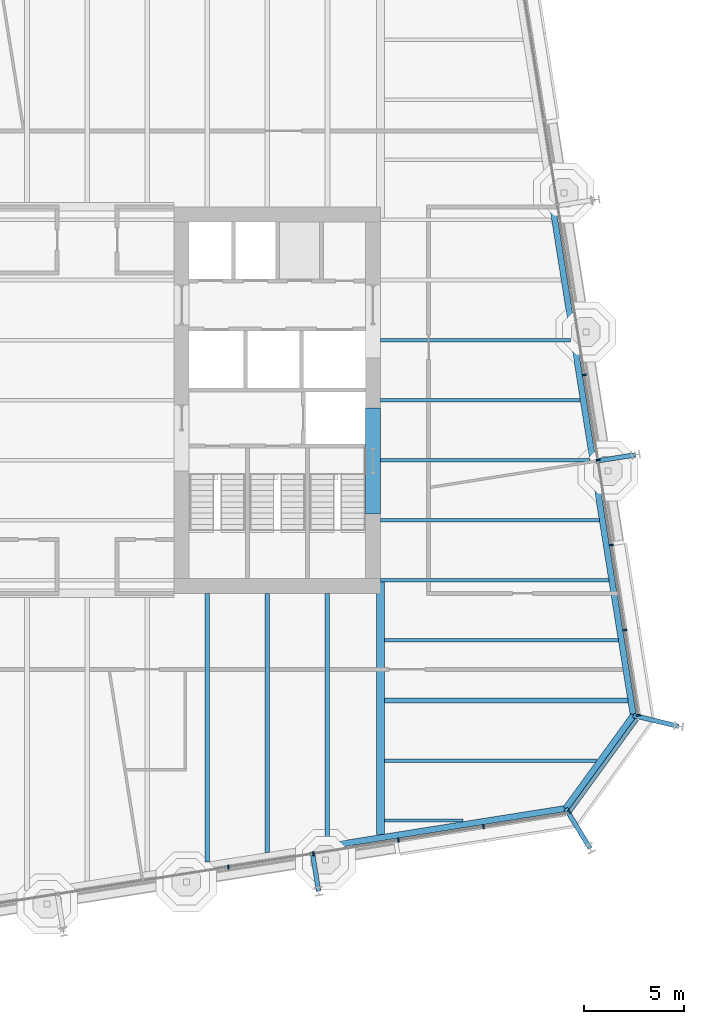
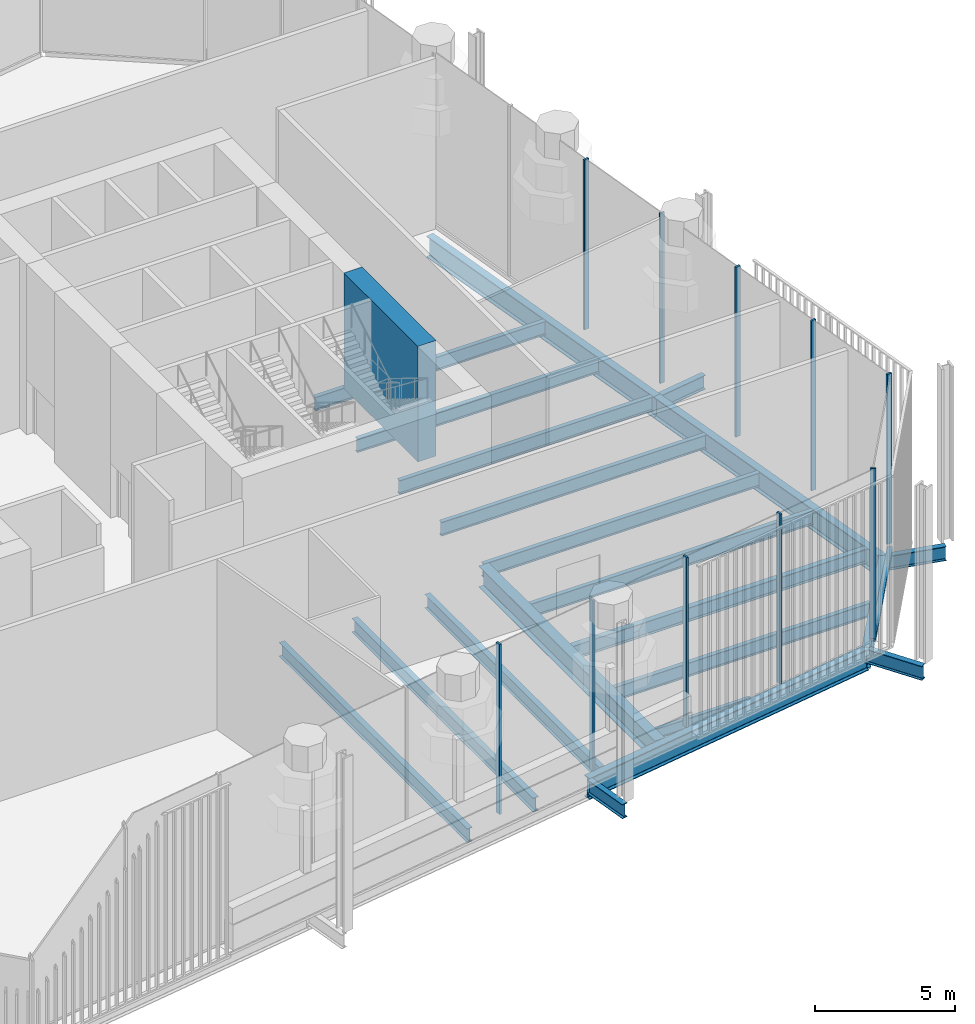
# One storey, part 5 of 19: 22 beams, 11 members, 3 elements without a shape of their own.
"""IFC4 building model written with IfcOpenShell, lengths in metres."""

from ifc_helpers import new_model, si_unit, direction, frame, origin, origin_2d, place, context, subcontext, project, spatial, rectangle, i_section, extrude, material, layer, layer_set, material_profile, profile_set, type_object, element, aggregate, save


model = new_model("IFC4")

# Units and contexts
model_context = context("Model", 3, precision=1e-05, world=origin(), true_north=direction((0.0, 1.0)))
body_context = subcontext(model_context, "Body", "Model", "MODEL_VIEW")
ifc_project = project(units=[si_unit("LENGTHUNIT", "METRE"), si_unit("AREAUNIT", "SQUARE_METRE"), si_unit("VOLUMEUNIT", "CUBIC_METRE"), si_unit("PLANEANGLEUNIT", "RADIAN"), si_unit("MASSUNIT", "GRAM", prefix="KILO")], contexts=[model_context])

# Site, building, storey
site_placement = place(None, origin())
site = spatial("IfcSite", under=ifc_project, at=site_placement, CompositionType="ELEMENT")
building_placement = place(site_placement, origin())
building = spatial("IfcBuilding", under=site, at=building_placement, Name="Millrace Tower", CompositionType="ELEMENT")
storey_placement = place(building_placement, frame((0.0, 0.0, 172.39990234375)))
storey = spatial("IfcBuildingStorey", under=building, at=storey_placement, Name="L39", CompositionType="ELEMENT", Elevation=172.39990234375)

# Curtain wall, members
ifc_material_1 = material(Name="Aluminium and glass", Category="aluminium")
ifc_layer = layer(ifc_material_1, 0.199951171875)
ifc_layer_set = layer_set([ifc_layer], Name="Aluminium and glass")
curtain_wall_type = type_object("IfcCurtainWallType", Name="CW-4 sky garden winter glazing", PredefinedType="NOTDEFINED", material=ifc_layer_set)
placement = place(storey_placement, origin())
curtain_wall_1 = element("IfcCurtainWall", 1, at=placement, inside=storey, type_object=curtain_wall_type, Name="Curtain wall C-F02 L39", PredefinedType="NOTDEFINED")
ifc_material_2 = material(Name="Aluminium", Category="aluminium")
ifc_material_profile_1 = material_profile(ifc_material_2, rectangle(XDim=0.080078125, YDim=0.199951171875, at=origin_2d()))
ifc_profile_set_1 = profile_set([ifc_material_profile_1], Name="Aluminium")
member_type_1 = type_object("IfcMemberType", Name="CW-4 sky garden winter glazing mullion", PredefinedType="MULLION", material=ifc_profile_set_1)
member_1_placement = place(storey_placement, frame((7.054931640625, -23.31689453125, 0.18017578125), z_axis=(0.0, 0.0, 1.0), x_axis=(0.98768833929, 0.15643447328, 0.0)))
member_1 = element("IfcMember", 2, at=member_1_placement, type_object=member_type_1, Name="CW4 mullion C-F02.6", PredefinedType="MULLION", context=body_context, shape_type="SweptSolid", body=[
    extrude(rectangle(XDim=0.080078125, YDim=0.199951171875, at=origin_2d()), origin(), (0.0, 0.0, 1.0), 7.419921875),
])
member_2_placement = place(storey_placement, frame((11.302001953125, -22.644287109375, 0.18017578125), z_axis=(0.0, 0.0, 1.0), x_axis=(0.98768833929, 0.15643447328, 0.0)))
member_2 = element("IfcMember", 3, at=member_2_placement, type_object=member_type_1, Name="CW4 mullion C-F02.7", PredefinedType="MULLION", context=body_context, shape_type="SweptSolid", body=[
    extrude(rectangle(XDim=0.080078125, YDim=0.199951171875, at=origin_2d()), origin(), (0.0, 0.0, 1.0), 7.419921875),
])
member_3_placement = place(storey_placement, frame((15.549072265625, -21.971435546875, 0.18017578125), z_axis=(0.0, 0.0, 1.0), x_axis=(0.98768833929, 0.15643447328, 0.0)))
member_3 = element("IfcMember", 4, at=member_3_placement, type_object=member_type_1, Name="CW4 mullion C-F02.8", PredefinedType="MULLION", context=body_context, shape_type="SweptSolid", body=[
    extrude(rectangle(XDim=0.080078125, YDim=0.199951171875, at=origin_2d()), origin(), (0.0, 0.0, 1.0), 7.419921875),
])
member_4_placement = place(storey_placement, frame((19.796142578125, -21.298828125, 0.18017578125), z_axis=(0.0, 0.0, 1.0), x_axis=(0.98768833929, 0.15643447328, 0.0)))
member_4 = element("IfcMember", 5, at=member_4_placement, type_object=member_type_1, Name="CW4 mullion C-F02.9", PredefinedType="MULLION", context=body_context, shape_type="SweptSolid", body=[
    extrude(rectangle(XDim=0.080078125, YDim=0.199951171875, at=origin_2d()), origin(), (0.0, 0.0, 1.0), 7.419921875),
])
aggregate(curtain_wall_1, [member_1, member_2, member_3, member_4])

# Curtain wall, member
curtain_wall_2 = element("IfcCurtainWall", 6, at=placement, inside=storey, type_object=curtain_wall_type, Name="Curtain wall C-F03 L39", PredefinedType="NOTDEFINED")
member_5_placement = place(storey_placement, frame((24.09228515625, -20.56005859375, 0.18017578125), z_axis=(0.0, 0.0, 1.0), x_axis=(0.587785269844, 0.809016981623, 0.0)))
member_5 = element("IfcMember", 7, at=member_5_placement, type_object=member_type_1, Name="CW4 mullion C-F03.1", PredefinedType="MULLION", context=body_context, shape_type="SweptSolid", body=[
    extrude(rectangle(XDim=0.080078125, YDim=0.199951171875, at=origin_2d()), origin(), (0.0, 0.0, 1.0), 7.419921875),
])

# Curtain wall, members
curtain_wall_3 = element("IfcCurtainWall", 8, at=placement, inside=storey, type_object=curtain_wall_type, Name="Curtain wall C-F04 L39", PredefinedType="NOTDEFINED")
member_6_placement = place(storey_placement, frame((27.5302734375, -15.73046875, 0.18017578125), z_axis=(0.0, 0.0, 1.0), x_axis=(-0.15643447328, 0.98768833929, 0.0)))
member_6 = element("IfcMember", 9, at=member_6_placement, type_object=member_type_1, Name="CW4 mullion C-F04.1", PredefinedType="MULLION", context=body_context, shape_type="SweptSolid", body=[
    extrude(rectangle(XDim=0.080078125, YDim=0.199951171875, at=origin_2d()), origin(), (0.0, 0.0, 1.0), 7.419921875),
])
member_7_placement = place(storey_placement, frame((26.857421875, -11.4833984375, 0.18017578125), z_axis=(0.0, 0.0, 1.0), x_axis=(-0.15643447328, 0.98768833929, 0.0)))
member_7 = element("IfcMember", 10, at=member_7_placement, type_object=member_type_1, Name="CW4 mullion C-F04.2", PredefinedType="MULLION", context=body_context, shape_type="SweptSolid", body=[
    extrude(rectangle(XDim=0.080078125, YDim=0.199951171875, at=origin_2d()), origin(), (0.0, 0.0, 1.0), 7.419921875),
])
member_8_placement = place(storey_placement, frame((26.184814453125, -7.236328125, 0.18017578125), z_axis=(0.0, 0.0, 1.0), x_axis=(-0.15643447328, 0.98768833929, 0.0)))
member_8 = element("IfcMember", 11, at=member_8_placement, type_object=member_type_1, Name="CW4 mullion C-F04.3", PredefinedType="MULLION", context=body_context, shape_type="SweptSolid", body=[
    extrude(rectangle(XDim=0.080078125, YDim=0.199951171875, at=origin_2d()), origin(), (0.0, 0.0, 1.0), 7.419921875),
])
member_9_placement = place(storey_placement, frame((25.51220703125, -2.9892578125, 0.18017578125), z_axis=(0.0, 0.0, 1.0), x_axis=(-0.15643447328, 0.98768833929, 0.0)))
member_9 = element("IfcMember", 12, at=member_9_placement, type_object=member_type_1, Name="CW4 mullion C-F04.4", PredefinedType="MULLION", context=body_context, shape_type="SweptSolid", body=[
    extrude(rectangle(XDim=0.080078125, YDim=0.199951171875, at=origin_2d()), origin(), (0.0, 0.0, 1.0), 7.419921875),
])
member_10_placement = place(storey_placement, frame((24.839599609375, 1.2578125, 0.18017578125), z_axis=(0.0, 0.0, 1.0), x_axis=(-0.15643447328, 0.98768833929, 0.0)))
member_10 = element("IfcMember", 13, at=member_10_placement, type_object=member_type_1, Name="CW4 mullion C-F04.5", PredefinedType="MULLION", context=body_context, shape_type="SweptSolid", body=[
    extrude(rectangle(XDim=0.080078125, YDim=0.199951171875, at=origin_2d()), origin(), (0.0, 0.0, 1.0), 7.419921875),
])
aggregate(curtain_wall_3, [member_6, member_7, member_8, member_9, member_10])

# Member
ifc_material_3 = material(Name="Aluminium", Category="aluminium")
ifc_material_profile_2 = material_profile(ifc_material_3, rectangle(XDim=0.199951171875, YDim=0.179931640625, at=origin_2d()))
ifc_profile_set_2 = profile_set([ifc_material_profile_2], Name="Aluminium")
member_type_2 = type_object("IfcMemberType", Name="CW-4 sky garden winter glazing transom", PredefinedType="USERDEFINED", material=ifc_profile_set_2)
member_11_placement = place(storey_placement, frame((24.127685546875, -20.511474609375, 0.090087890625), z_axis=(0.587782394357, 0.809019070779, 0.0), x_axis=(-0.809019070779, 0.587782394357, 0.0)))
member_11 = element("IfcMember", 14, at=member_11_placement, type_object=member_type_2, Name="CW4 transom C-F03.1", ObjectType="TRANSOM", PredefinedType="USERDEFINED", context=body_context, shape_type="SweptSolid", body=[
    extrude(rectangle(XDim=0.199951171875, YDim=0.179931640625, at=origin_2d()), origin(), (0.0, 0.0, 1.0), 5.668701171875),
])

aggregate(curtain_wall_2, [member_5, member_11])

# Beams
ifc_material_4 = material(Name="Concrete C70", Category="concrete")
ifc_material_profile_3 = material_profile(ifc_material_4, rectangle(XDim=0.75, YDim=5.0400390625, at=origin_2d()))
ifc_profile_set_3 = profile_set([ifc_material_profile_3], Name="Concrete C70")
beam_type_1 = type_object("IfcBeamType", Name="Coupling beam 750 x 5040 Concrete C70, 1300 opening", PredefinedType="BEAM", material=ifc_profile_set_3)
beam_1_placement = place(storey_placement, frame((14.27490234375, -0.384033203125, 4.920166015625), z_axis=(0.0, -1.0, 0.0), x_axis=(1.0, 0.0, 0.0)))
element("IfcBeam", 15, at=beam_1_placement, inside=storey, type_object=beam_type_1, Name="Coupling beam E L39", PredefinedType="BEAM", context=body_context, shape_type="SweptSolid", body=[
    extrude(rectangle(XDim=0.75, YDim=5.0400390625, at=origin_2d()), origin(), (0.0, 0.0, 1.0), 5.2919921875),
])
ifc_material_5 = material(Name="Steel ASTM A992 Grade 50", Category="steel")
ifc_material_profile_4 = material_profile(ifc_material_5, i_section(OverallWidth=0.15234375, OverallDepth=0.449462890625, WebThickness=0.007568359375, FlangeThickness=0.0107421875, FilletRadius=0.01025390625, at=origin_2d()))
ifc_profile_set_4 = profile_set([ifc_material_profile_4], Name="Steel ASTM A992 Grade 50")
beam_type_2 = type_object("IfcBeamType", Name="Floor beam W18x35", PredefinedType="JOIST", material=ifc_profile_set_4)
beam_2_placement = place(storey_placement, frame((14.859619140625, -21.0, -0.474609375), z_axis=(1.0, 0.0, 0.0), x_axis=(0.0, 1.0, 0.0)))
element("IfcBeam", 16, at=beam_2_placement, inside=storey, type_object=beam_type_2, Name="BM-C-L39-S1-S003", PredefinedType="JOIST", context=body_context, shape_type="SweptSolid", body=[
    extrude(i_section(OverallWidth=0.15234375, OverallDepth=0.449462890625, WebThickness=0.007568359375, FlangeThickness=0.0107421875, FilletRadius=0.01025390625, at=origin_2d()), origin(), (0.0, 0.0, 1.0), 3.9033203125),
])
ifc_material_6 = material(Name="Steel ASTM A992 Grade 50", Category="steel")
ifc_material_profile_5 = material_profile(ifc_material_6, i_section(OverallWidth=0.177978515625, OverallDepth=0.599365234375, WebThickness=0.010009765625, FlangeThickness=0.012939453125, FilletRadius=0.012939453125, at=origin_2d()))
ifc_profile_set_5 = profile_set([ifc_material_profile_5], Name="Steel ASTM A992 Grade 50")
beam_type_3 = type_object("IfcBeamType", Name="Floor beam W24x55", PredefinedType="JOIST", material=ifc_profile_set_5)
beam_3_placement = place(storey_placement, frame((14.64990234375, 0.0, -0.549560546875), z_axis=(1.0, 0.0, 0.0), x_axis=(0.0, 1.0, 0.0)))
element("IfcBeam", 17, at=beam_3_placement, inside=storey, type_object=beam_type_3, Name="BM-C-L39-S1-S021", PredefinedType="JOIST", context=body_context, shape_type="SweptSolid", body=[
    extrude(i_section(OverallWidth=0.177978515625, OverallDepth=0.599365234375, WebThickness=0.010009765625, FlangeThickness=0.012939453125, FilletRadius=0.012939453125, at=origin_2d()), origin(), (0.0, 0.0, 1.0), 9.976318359375),
])
beam_4_placement = place(storey_placement, frame((14.64990234375, 3.0, -0.549560546875), z_axis=(1.0, 0.0, 0.0), x_axis=(0.0, 1.0, 0.0)))
element("IfcBeam", 18, at=beam_4_placement, inside=storey, type_object=beam_type_3, Name="BM-C-L39-S1-S024", PredefinedType="JOIST", context=body_context, shape_type="SweptSolid", body=[
    extrude(i_section(OverallWidth=0.177978515625, OverallDepth=0.599365234375, WebThickness=0.010009765625, FlangeThickness=0.012939453125, FilletRadius=0.012939453125, at=origin_2d()), origin(), (0.0, 0.0, 1.0), 9.501220703125),
])
ifc_material_7 = material(Name="Steel ASTM A992 Grade 50", Category="steel")
ifc_material_profile_6 = material_profile(ifc_material_7, i_section(OverallWidth=0.1787109375, OverallDepth=0.60205078125, WebThickness=0.010986328125, FlangeThickness=0.014892578125, FilletRadius=0.0126953125, at=origin_2d()))
ifc_profile_set_6 = profile_set([ifc_material_profile_6], Name="Steel ASTM A992 Grade 50")
beam_type_4 = type_object("IfcBeamType", Name="Floor beam W24x62", PredefinedType="JOIST", material=ifc_profile_set_6)
beam_5_placement = place(storey_placement, frame((14.859619140625, -12.0, -0.55078125), z_axis=(1.0, 0.0, 0.0), x_axis=(0.0, 1.0, 0.0)))
element("IfcBeam", 19, at=beam_5_placement, inside=storey, type_object=beam_type_4, Name="BM-C-L39-S1-S009", PredefinedType="JOIST", context=body_context, shape_type="SweptSolid", body=[
    extrude(i_section(OverallWidth=0.1787109375, OverallDepth=0.60205078125, WebThickness=0.010986328125, FlangeThickness=0.014892578125, FilletRadius=0.0126953125, at=origin_2d()), origin(), (0.0, 0.0, 1.0), 11.667236328125),
])
beam_6_placement = place(storey_placement, frame((14.64990234375, -9.0, -0.55078125), z_axis=(1.0, 0.0, 0.0), x_axis=(0.0, 1.0, 0.0)))
element("IfcBeam", 20, at=beam_6_placement, inside=storey, type_object=beam_type_4, Name="BM-C-L39-S1-S012", PredefinedType="JOIST", context=body_context, shape_type="SweptSolid", body=[
    extrude(i_section(OverallWidth=0.1787109375, OverallDepth=0.60205078125, WebThickness=0.010986328125, FlangeThickness=0.014892578125, FilletRadius=0.0126953125, at=origin_2d()), origin(), (0.0, 0.0, 1.0), 11.40185546875),
])
beam_7_placement = place(storey_placement, frame((14.64990234375, -6.0, -0.55078125), z_axis=(1.0, 0.0, 0.0), x_axis=(0.0, 1.0, 0.0)))
element("IfcBeam", 21, at=beam_7_placement, inside=storey, type_object=beam_type_4, Name="BM-C-L39-S1-S015", PredefinedType="JOIST", context=body_context, shape_type="SweptSolid", body=[
    extrude(i_section(OverallWidth=0.1787109375, OverallDepth=0.60205078125, WebThickness=0.010986328125, FlangeThickness=0.014892578125, FilletRadius=0.0126953125, at=origin_2d()), origin(), (0.0, 0.0, 1.0), 10.9267578125),
])
beam_8_placement = place(storey_placement, frame((14.64990234375, -3.0, -0.55078125), z_axis=(1.0, 0.0, 0.0), x_axis=(0.0, 1.0, 0.0)))
element("IfcBeam", 22, at=beam_8_placement, inside=storey, type_object=beam_type_4, Name="BM-C-L39-S1-S018", PredefinedType="JOIST", context=body_context, shape_type="SweptSolid", body=[
    extrude(i_section(OverallWidth=0.1787109375, OverallDepth=0.60205078125, WebThickness=0.010986328125, FlangeThickness=0.014892578125, FilletRadius=0.0126953125, at=origin_2d()), origin(), (0.0, 0.0, 1.0), 10.45166015625),
])
beam_9_placement = place(storey_placement, frame((14.859619140625, -18.0, -0.55078125), z_axis=(1.0, 0.0, 0.0), x_axis=(0.0, 1.0, 0.0)))
element("IfcBeam", 23, at=beam_9_placement, inside=storey, type_object=beam_type_4, Name="BM-C-L39-S1-S005", PredefinedType="JOIST", context=body_context, shape_type="SweptSolid", body=[
    extrude(i_section(OverallWidth=0.1787109375, OverallDepth=0.60205078125, WebThickness=0.010986328125, FlangeThickness=0.014892578125, FilletRadius=0.0126953125, at=origin_2d()), origin(), (0.0, 0.0, 1.0), 10.577392578125),
])
ifc_material_8 = material(Name="Steel ASTM A992 Grade 50", Category="steel")
ifc_material_profile_7 = material_profile(ifc_material_8, i_section(OverallWidth=0.228271484375, OverallDepth=0.607177734375, WebThickness=0.01123046875, FlangeThickness=0.017333984375, FilletRadius=0.0126953125, at=origin_2d()))
ifc_profile_set_7 = profile_set([ifc_material_profile_7], Name="Steel ASTM A992 Grade 50")
beam_type_5 = type_object("IfcBeamType", Name="Floor beam W24x76", PredefinedType="JOIST", material=ifc_profile_set_7)
beam_10_placement = place(storey_placement, frame((14.859619140625, -15.0, -0.553466796875), z_axis=(1.0, 0.0, 0.0), x_axis=(0.0, 1.0, 0.0)))
element("IfcBeam", 24, at=beam_10_placement, inside=storey, type_object=beam_type_5, Name="BM-C-L39-S1-S007", PredefinedType="JOIST", context=body_context, shape_type="SweptSolid", body=[
    extrude(i_section(OverallWidth=0.228271484375, OverallDepth=0.607177734375, WebThickness=0.01123046875, FlangeThickness=0.017333984375, FilletRadius=0.0126953125, at=origin_2d()), origin(), (0.0, 0.0, 1.0), 12.142578125),
])
beam_11_placement = place(storey_placement, frame((6.0, -23.071533203125, -0.553466796875), z_axis=(0.0, 1.0, 0.0), x_axis=(-1.0, 0.0, 0.0)))
element("IfcBeam", 25, at=beam_11_placement, inside=storey, type_object=beam_type_5, Name="BM-C-L39-S1-S052", PredefinedType="JOIST", context=body_context, shape_type="SweptSolid", body=[
    extrude(i_section(OverallWidth=0.228271484375, OverallDepth=0.607177734375, WebThickness=0.01123046875, FlangeThickness=0.017333984375, FilletRadius=0.0126953125, at=origin_2d()), origin(), (0.0, 0.0, 1.0), 13.421630859375),
])
beam_12_placement = place(storey_placement, frame((9.0, -22.596435546875, -0.553466796875), z_axis=(0.0, 1.0, 0.0), x_axis=(-1.0, 0.0, 0.0)))
element("IfcBeam", 26, at=beam_12_placement, inside=storey, type_object=beam_type_5, Name="BM-C-L39-S1-S054", PredefinedType="JOIST", context=body_context, shape_type="SweptSolid", body=[
    extrude(i_section(OverallWidth=0.228271484375, OverallDepth=0.607177734375, WebThickness=0.01123046875, FlangeThickness=0.017333984375, FilletRadius=0.0126953125, at=origin_2d()), origin(), (0.0, 0.0, 1.0), 12.946533203125),
])
beam_13_placement = place(storey_placement, frame((12.0, -22.12109375, -0.553466796875), z_axis=(0.0, 1.0, 0.0), x_axis=(-1.0, 0.0, 0.0)))
element("IfcBeam", 27, at=beam_13_placement, inside=storey, type_object=beam_type_5, Name="BM-C-L39-S1-S056", PredefinedType="JOIST", context=body_context, shape_type="SweptSolid", body=[
    extrude(i_section(OverallWidth=0.228271484375, OverallDepth=0.607177734375, WebThickness=0.01123046875, FlangeThickness=0.017333984375, FilletRadius=0.0126953125, at=origin_2d()), origin(), (0.0, 0.0, 1.0), 12.47119140625),
])
ifc_material_9 = material(Name="Steel ASTM A992 Grade 50", Category="steel")
ifc_material_profile_8 = material_profile(ifc_material_9, i_section(OverallWidth=0.419189453125, OverallDepth=0.927001953125, WebThickness=0.019287109375, FlangeThickness=0.031982421875, FilletRadius=0.024169921875, at=origin_2d()))
ifc_profile_set_8 = profile_set([ifc_material_profile_8], Name="Steel ASTM A992 Grade 50")
beam_type_6 = type_object("IfcBeamType", Name="Girder medium span W36x231", PredefinedType="BEAM", material=ifc_profile_set_8)
beam_14_placement = place(storey_placement, frame((14.64990234375, -21.693603515625, -0.71337890625), z_axis=(0.0, 1.0, 0.0), x_axis=(-1.0, 0.0, 0.0)))
element("IfcBeam", 28, at=beam_14_placement, inside=storey, type_object=beam_type_6, Name="BM-C-L39-S1-G060", PredefinedType="BEAM", context=body_context, shape_type="SweptSolid", body=[
    extrude(i_section(OverallWidth=0.419189453125, OverallDepth=0.927001953125, WebThickness=0.019287109375, FlangeThickness=0.031982421875, FilletRadius=0.024169921875, at=origin_2d()), origin(), (0.0, 0.0, 1.0), 12.603515625),
])
ifc_material_10 = material(Name="Steel ASTM A992 Grade 50", Category="steel")
ifc_material_profile_9 = material_profile(ifc_material_10, i_section(OverallWidth=0.23046875, OverallDepth=0.6171875, WebThickness=0.01318359375, FlangeThickness=0.022216796875, FilletRadius=0.012939453125, at=origin_2d()))
ifc_profile_set_9 = profile_set([ifc_material_profile_9], Name="Steel ASTM A992 Grade 50")
beam_type_7 = type_object("IfcBeamType", Name="Link beam W24x94", PredefinedType="BEAM", material=ifc_profile_set_9)
beam_15_placement = place(storey_placement, frame((25.419677734375, -3.04443359375, -0.55859375), z_axis=(0.987678691416, 0.156495375404, 0.0), x_axis=(-0.156495375404, 0.987678691416, 0.0)))
element("IfcBeam", 29, at=beam_15_placement, inside=storey, type_object=beam_type_7, Name="LNK-C-L39-S1-11", PredefinedType="BEAM", context=body_context, shape_type="SweptSolid", body=[
    extrude(i_section(OverallWidth=0.23046875, OverallDepth=0.6171875, WebThickness=0.01318359375, FlangeThickness=0.022216796875, FilletRadius=0.012939453125, at=origin_2d()), origin(), (0.0, 0.0, 1.0), 2.0),
])
beam_16_placement = place(storey_placement, frame((27.27587890625, -15.746826171875, -0.55859375), z_axis=(0.972373041068, -0.233432364948, 0.0), x_axis=(0.233432364948, 0.972373041068, 0.0)))
element("IfcBeam", 30, at=beam_16_placement, inside=storey, type_object=beam_type_7, Name="LNK-C-L39-S1-12", PredefinedType="BEAM", context=body_context, shape_type="SweptSolid", body=[
    extrude(i_section(OverallWidth=0.23046875, OverallDepth=0.6171875, WebThickness=0.01318359375, FlangeThickness=0.022216796875, FilletRadius=0.012939453125, at=origin_2d()), origin(), (0.0, 0.0, 1.0), 2.331298828125),
])
beam_17_placement = place(storey_placement, frame((23.901123046875, -20.391845703125, -0.55859375), z_axis=(0.522512938711, -0.852631355792, 0.0), x_axis=(0.852631355792, 0.522512938711, 0.0)))
element("IfcBeam", 31, at=beam_17_placement, inside=storey, type_object=beam_type_7, Name="LNK-C-L39-S1-13", PredefinedType="BEAM", context=body_context, shape_type="SweptSolid", body=[
    extrude(i_section(OverallWidth=0.23046875, OverallDepth=0.6171875, WebThickness=0.01318359375, FlangeThickness=0.022216796875, FilletRadius=0.012939453125, at=origin_2d()), origin(), (0.0, 0.0, 1.0), 2.3310546875),
])
beam_18_placement = place(storey_placement, frame((11.246826171875, -22.5517578125, -0.55859375), z_axis=(0.15637629034, -0.987697552806, 0.0), x_axis=(0.987697552806, 0.15637629034, 0.0)))
element("IfcBeam", 32, at=beam_18_placement, inside=storey, type_object=beam_type_7, Name="LNK-C-L39-S1-14", PredefinedType="BEAM", context=body_context, shape_type="SweptSolid", body=[
    extrude(i_section(OverallWidth=0.23046875, OverallDepth=0.6171875, WebThickness=0.01318359375, FlangeThickness=0.022216796875, FilletRadius=0.012939453125, at=origin_2d()), origin(), (0.0, 0.0, 1.0), 2.0),
])
ifc_material_11 = material(Name="Steel ASTM A992 Grade 50", Category="steel")
ifc_material_profile_10 = material_profile(ifc_material_11, i_section(OverallWidth=0.307373046875, OverallDepth=0.927001953125, WebThickness=0.01953125, FlangeThickness=0.031982421875, FilletRadius=0.01904296875, at=origin_2d()))
ifc_profile_set_10 = profile_set([ifc_material_profile_10], Name="Steel ASTM A992 Grade 50")
beam_type_8 = type_object("IfcBeamType", Name="Ring beam medium span W36x194", PredefinedType="SPANDREL", material=ifc_profile_set_10)
beam_19_placement = place(storey_placement, frame((23.25, 9.6728515625, -0.71337890625), z_axis=(0.15642030113, -0.987690583834, 0.0), x_axis=(0.987690583834, 0.15642030113, 0.0)))
element("IfcBeam", 33, at=beam_19_placement, inside=storey, type_object=beam_type_8, Name="RNG-C-L39-S1-10", PredefinedType="SPANDREL", context=body_context, shape_type="SweptSolid", body=[
    extrude(i_section(OverallWidth=0.307373046875, OverallDepth=0.927001953125, WebThickness=0.01953125, FlangeThickness=0.031982421875, FilletRadius=0.01904296875, at=origin_2d()), origin(), (0.0, 0.0, 1.0), 12.89990234375),
])
for number, where, z_axis, x_axis, name in (
    (34, (25.267822265625, -3.068359375, -0.71337890625), (0.15643330783, -0.987688523879, 0.0), (0.987688523879, 0.15643330783, 0.0), "RNG-C-L39-S1-11"),
    (35, (23.901123046875, -20.391845703125, -0.71337890625), (-0.987688523879, -0.15643330783, 0.0), (0.15643330783, -0.987688523879, 0.0), "RNG-C-L39-S1-13"),
):
    element("IfcBeam", number, at=place(storey_placement, frame(where, z_axis=z_axis, x_axis=x_axis)), inside=storey, type_object=beam_type_8, Name=name, PredefinedType="SPANDREL", context=body_context, shape_type="SweptSolid", body=[
        extrude(i_section(OverallWidth=0.307373046875, OverallDepth=0.927001953125, WebThickness=0.01953125, FlangeThickness=0.031982421875, FilletRadius=0.01904296875, at=origin_2d()), origin(), (0.0, 0.0, 1.0), 12.83642578125),
    ])
ifc_material_12 = material(Name="Steel ASTM A992 Grade 50", Category="steel")
ifc_material_profile_11 = material_profile(ifc_material_12, i_section(OverallWidth=0.307373046875, OverallDepth=0.927001953125, WebThickness=0.01953125, FlangeThickness=0.031982421875, FilletRadius=0.01904296875, at=origin_2d()))
ifc_profile_set_11 = profile_set([ifc_material_profile_11], Name="Steel ASTM A992 Grade 50")
beam_type_9 = type_object("IfcBeamType", Name="Ring beam short span W36x194", PredefinedType="SPANDREL", material=ifc_profile_set_11)
beam_20_placement = place(storey_placement, frame((27.27587890625, -15.746826171875, -0.71337890625), z_axis=(-0.58777973792, -0.809021000772, 0.0), x_axis=(0.809021000772, -0.58777973792, 0.0)))
element("IfcBeam", 36, at=beam_20_placement, inside=storey, type_object=beam_type_9, Name="RNG-C-L39-S1-12", PredefinedType="SPANDREL", context=body_context, shape_type="SweptSolid", body=[
    extrude(i_section(OverallWidth=0.307373046875, OverallDepth=0.927001953125, WebThickness=0.01953125, FlangeThickness=0.031982421875, FilletRadius=0.01904296875, at=origin_2d()), origin(), (0.0, 0.0, 1.0), 5.741455078125),
])

save(model, "model.ifc")
